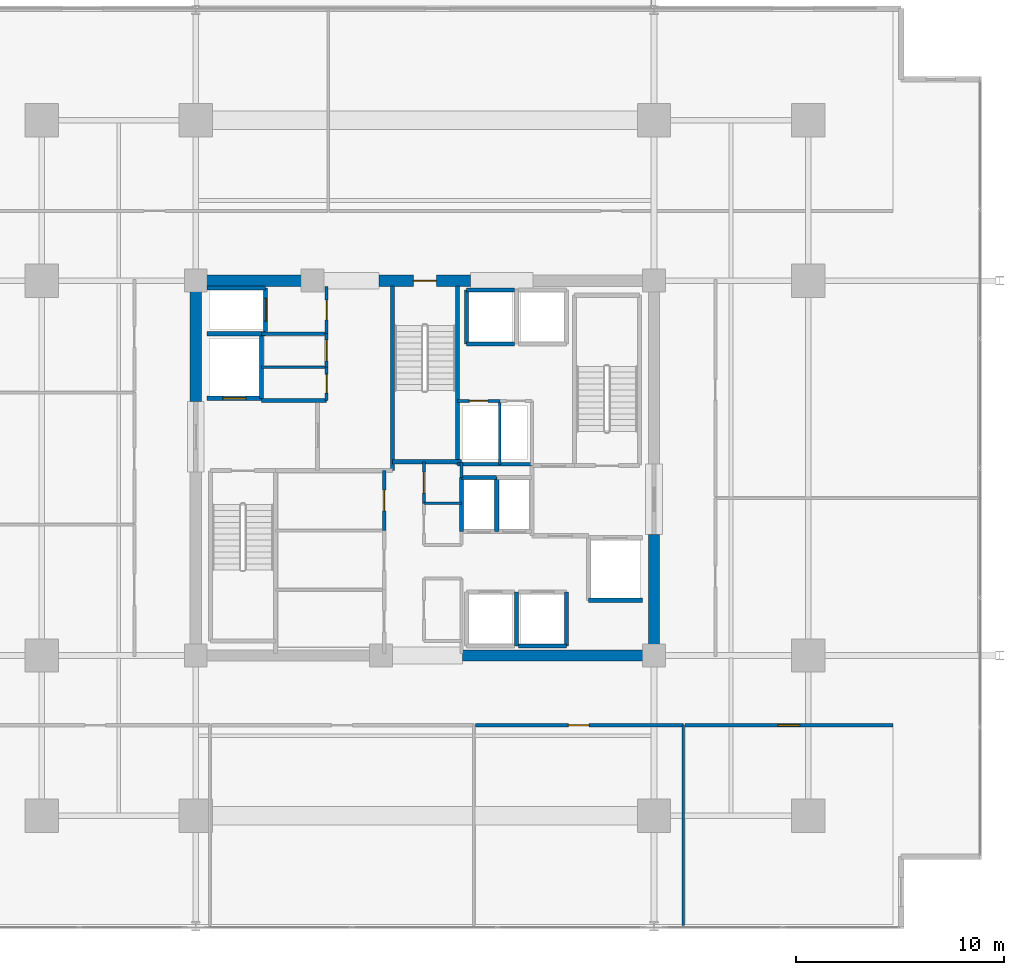
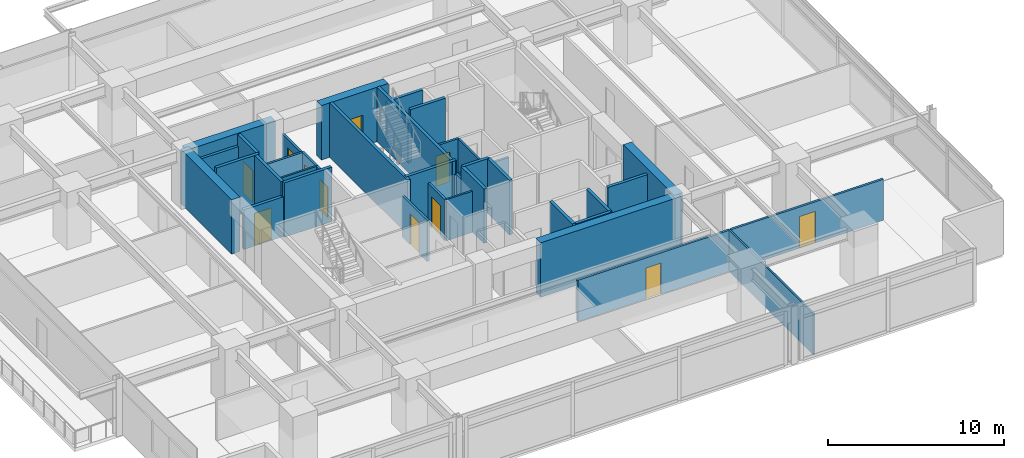
# One storey, part 14 of 20: 39 walls, 11 doors, 11 openings.
"""IFC4 building model written with IfcOpenShell, lengths in metres."""

from ifc_helpers import new_model, si_unit, direction, frame, frame_2d, origin, place, context, subcontext, project, spatial, rectangle, extrude, material, layer, layer_set, type_object, element, fill, save


model = new_model("IFC4")

# Units and contexts
model_context = context("Model", 3, precision=1e-05, world=origin(), true_north=direction((0.0, 1.0)))
body_context = subcontext(model_context, "Body", "Model", "MODEL_VIEW")
ifc_project = project(units=[si_unit("LENGTHUNIT", "METRE"), si_unit("AREAUNIT", "SQUARE_METRE"), si_unit("VOLUMEUNIT", "CUBIC_METRE"), si_unit("PLANEANGLEUNIT", "RADIAN"), si_unit("MASSUNIT", "GRAM", prefix="KILO")], contexts=[model_context])

# Site, building, storey
site_placement = place(None, origin())
site = spatial("IfcSite", under=ifc_project, at=site_placement, CompositionType="ELEMENT")
building_placement = place(site_placement, origin())
building = spatial("IfcBuilding", under=site, at=building_placement, Name="Kovane Verandah Tower", CompositionType="ELEMENT")
storey_placement = place(building_placement, frame((0.0, 0.0, 160.39990234375)))
storey = spatial("IfcBuildingStorey", under=building, at=storey_placement, Name="L37", CompositionType="ELEMENT", Elevation=160.39990234375)

# Wall
ifc_material_1 = material(Name="Fire-Rated Gypsum Stud Partition", Category="gypsum")
ifc_layer_1 = layer(ifc_material_1, 0.14990234375)
ifc_layer_set_1 = layer_set([ifc_layer_1], Name="Fire-Rated Gypsum Stud Partition")
wall_type_1 = type_object("IfcWallType", Name="WL-COR-150", PredefinedType="PARTITIONING", material=ifc_layer_set_1)
wall_1_placement = place(storey_placement, frame((41.760009765625, 27.050048828125, 0.0), z_axis=(0.0, 0.0, 1.0), x_axis=(0.0, 1.0, 0.0)))
element("IfcWall", 1, at=wall_1_placement, inside=storey, type_object=wall_type_1, Name="L37 Central Core Strip Upper East Wall", PredefinedType="PARTITIONING", context=body_context, shape_type="SweptSolid", body=[
    extrude(rectangle(XDim=0.75, YDim=0.14990234375, at=frame_2d((0.375, 0.0))), origin(), (0.0, 0.0, 1.0), 2.85009765625),
])

# Wall, opening, door
wall_2_placement = place(storey_placement, frame((39.949951171875, 25.800048828125, 0.0), z_axis=(0.0, 0.0, 1.0), x_axis=(0.0, 1.0, 0.0)))
wall_2 = element("IfcWall", 2, at=wall_2_placement, inside=storey, type_object=wall_type_1, Name="L37 Central First Aid and Wellness Room Partition", PredefinedType="PARTITIONING", context=body_context, shape_type="SweptSolid", body=[
    extrude(rectangle(XDim=2.0, YDim=0.14990234375, at=frame_2d((1.0, 0.0))), origin(), (0.0, 0.0, 1.0), 2.85009765625),
])
opening_1_placement = place(wall_2_placement, frame((0.5, 0.0, 0.0)))
opening_1 = element("IfcOpeningElement", 3, at=opening_1_placement, cuts=wall_2, Name="Opening DR-L37-026", PredefinedType="OPENING", context=body_context, shape_type="SweptSolid", body=[
    extrude(rectangle(XDim=1.0, YDim=2.14990234375, at=frame_2d((0.5, 1.074951171875))), frame((0.0, 0.074951171875, 0.0), z_axis=(0.0, -1.0, 0.0), x_axis=(1.0, 0.0, 0.0)), (0.0, 0.0, 1.0), 0.14990234375),
])
ifc_material_2 = material(Name="FSC Spotted-Gum Timber Fire-Rated Office Door", Category="wood")
door_type_1 = type_object("IfcDoorType", Name="DR-OFF-1000", OperationType="SINGLE_SWING_LEFT", PredefinedType="DOOR", material=ifc_material_2)
door_1_placement = place(opening_1_placement, origin())
door_1 = element("IfcDoor", 4, at=door_1_placement, inside=storey, type_object=door_type_1, Name="L37 Central First Aid and Wellness Room Door", OperationType="SINGLE_SWING_LEFT", OverallHeight=2.14990234375, OverallWidth=1.0, PredefinedType="DOOR", context=body_context, shape_type="SweptSolid", body=[
    extrude(rectangle(XDim=1.0, YDim=2.14990234375, at=frame_2d((0.5, 1.074951171875))), frame((0.0, 0.02490234375, 0.0), z_axis=(0.0, -1.0, 0.0), x_axis=(1.0, 0.0, 0.0)), (0.0, 0.0, 1.0), 0.050048828125),
])
fill(opening_1, door_1)

# Wall
wall_3_placement = place(storey_placement, frame((32.14990234375, 33.949951171875, 0.0), z_axis=(0.0, 0.0, 1.0), x_axis=(1.0, 0.0, 0.0)))
element("IfcWall", 5, at=wall_3_placement, inside=storey, type_object=wall_type_1, Name="L37 Goods Lift Lobby South Wall", PredefinedType="PARTITIONING", context=body_context, shape_type="SweptSolid", body=[
    extrude(rectangle(XDim=3.130126953125, YDim=0.14990234375, at=frame_2d((1.56494140625, 0.0))), origin(), (0.0, 0.0, 1.0), 2.85009765625),
])

# Wall, opening, door
wall_4_placement = place(storey_placement, frame((35.280029296875, 33.949951171875, 0.0), z_axis=(0.0, 0.0, 1.0), x_axis=(0.0, 1.0, 0.0)))
wall_4 = element("IfcWall", 6, at=wall_4_placement, inside=storey, type_object=wall_type_1, Name="L37 Goods Lift Lobby East Fire Partition", PredefinedType="PARTITIONING", context=body_context, shape_type="SweptSolid", body=[
    extrude(rectangle(XDim=2.27001953125, YDim=0.14990234375, at=frame_2d((1.135009765625, 0.0))), origin(), (0.0, 0.0, 1.0), 2.755126953125),
])
opening_2_placement = place(wall_4_placement, frame((0.659912109375, 0.0, 0.0)))
opening_2 = element("IfcOpeningElement", 7, at=opening_2_placement, cuts=wall_4, Name="Opening DR-L37-008", PredefinedType="OPENING", context=body_context, shape_type="SweptSolid", body=[
    extrude(rectangle(XDim=0.949951171875, YDim=2.14990234375, at=frame_2d((0.47509765625, 1.074951171875))), frame((0.0, 0.074951171875, 0.0), z_axis=(0.0, -1.0, 0.0), x_axis=(1.0, 0.0, 0.0)), (0.0, 0.0, 1.0), 0.14990234375),
])
ifc_material_3 = material(Name="Fire-Rated Steel Refuge and Lobby Door", Category="steel")
door_type_2 = type_object("IfcDoorType", Name="DR-FIRE-950", OperationType="SINGLE_SWING_LEFT", PredefinedType="DOOR", material=ifc_material_3)
door_2_placement = place(opening_2_placement, origin())
door_2 = element("IfcDoor", 8, at=door_2_placement, inside=storey, type_object=door_type_2, Name="L37 Goods Lift Lobby Fire Door", OperationType="SINGLE_SWING_RIGHT", OverallHeight=2.14990234375, OverallWidth=0.949951171875, PredefinedType="DOOR", context=body_context, shape_type="SweptSolid", body=[
    extrude(rectangle(XDim=0.949951171875, YDim=2.14990234375, at=frame_2d((0.47509765625, 1.074951171875))), frame((0.0, 0.02490234375, 0.0), z_axis=(0.0, -1.0, 0.0), x_axis=(1.0, 0.0, 0.0)), (0.0, 0.0, 1.0), 0.050048828125),
])
fill(opening_2, door_2)

wall_5_placement = place(storey_placement, frame((35.280029296875, 30.75, 0.0), z_axis=(0.0, 0.0, 1.0), x_axis=(0.0, 1.0, 0.0)))
wall_5 = element("IfcWall", 9, at=wall_5_placement, inside=storey, type_object=wall_type_1, Name="L37 Accessible Unisex Toilet Partition", PredefinedType="PARTITIONING", context=body_context, shape_type="SweptSolid", body=[
    extrude(rectangle(XDim=1.60009765625, YDim=0.14990234375, at=frame_2d((0.800048828125, 0.0))), origin(), (0.0, 0.0, 1.0), 2.85009765625),
])
opening_3_placement = place(wall_5_placement, frame((0.35009765625, 0.0, 0.0)))
opening_3 = element("IfcOpeningElement", 10, at=opening_3_placement, cuts=wall_5, Name="Opening DR-L37-027", PredefinedType="OPENING", context=body_context, shape_type="SweptSolid", body=[
    extrude(rectangle(XDim=0.89990234375, YDim=2.10009765625, at=frame_2d((0.449951171875, 1.050048828125))), frame((0.0, 0.074951171875, 0.0), z_axis=(0.0, -1.0, 0.0), x_axis=(1.0, 0.0, 0.0)), (0.0, 0.0, 1.0), 0.14990234375),
])
ifc_material_4 = material(Name="Moisture-Resistant Laminate Washroom Door", Category="wood")
door_type_3 = type_object("IfcDoorType", Name="DR-WC-900", OperationType="SINGLE_SWING_LEFT", PredefinedType="DOOR", material=ifc_material_4)
door_3_placement = place(opening_3_placement, origin())
door_3 = element("IfcDoor", 11, at=door_3_placement, inside=storey, type_object=door_type_3, Name="L37 Accessible Unisex Toilet Door", OperationType="SINGLE_SWING_LEFT", OverallHeight=2.10009765625, OverallWidth=0.89990234375, PredefinedType="DOOR", context=body_context, shape_type="SweptSolid", body=[
    extrude(rectangle(XDim=0.89990234375, YDim=2.10009765625, at=frame_2d((0.449951171875, 1.050048828125))), frame((0.0, 0.02490234375, 0.0), z_axis=(0.0, -1.0, 0.0), x_axis=(1.0, 0.0, 0.0)), (0.0, 0.0, 1.0), 0.050048828125),
])
fill(opening_3, door_3)

wall_6_placement = place(storey_placement, frame((35.280029296875, 32.35009765625, 0.0), z_axis=(0.0, 0.0, 1.0), x_axis=(0.0, 1.0, 0.0)))
wall_6 = element("IfcWall", 12, at=wall_6_placement, inside=storey, type_object=wall_type_1, Name="L37 North-West First Aid Room Partition", PredefinedType="PARTITIONING", context=body_context, shape_type="SweptSolid", body=[
    extrude(rectangle(XDim=1.599853515625, YDim=0.14990234375, at=frame_2d((0.7998046875, 0.0))), origin(), (0.0, 0.0, 1.0), 2.85009765625),
])
opening_4_placement = place(wall_6_placement, frame((0.300048828125, 0.0, 0.0)))
opening_4 = element("IfcOpeningElement", 13, at=opening_4_placement, cuts=wall_6, Name="Opening DR-L37-012", PredefinedType="OPENING", context=body_context, shape_type="SweptSolid", body=[
    extrude(rectangle(XDim=1.0, YDim=2.14990234375, at=frame_2d((0.5, 1.074951171875))), frame((0.0, 0.074951171875, 0.0), z_axis=(0.0, -1.0, 0.0), x_axis=(1.0, 0.0, 0.0)), (0.0, 0.0, 1.0), 0.14990234375),
])
door_4_placement = place(opening_4_placement, origin())
door_4 = element("IfcDoor", 14, at=door_4_placement, inside=storey, type_object=door_type_1, Name="L37 North-West First Aid Room Door", OperationType="SINGLE_SWING_RIGHT", OverallHeight=2.14990234375, OverallWidth=1.0, PredefinedType="DOOR", context=body_context, shape_type="SweptSolid", body=[
    extrude(rectangle(XDim=1.0, YDim=2.14990234375, at=frame_2d((0.5, 1.074951171875))), frame((0.0, 0.02490234375, 0.0), z_axis=(0.0, -1.0, 0.0), x_axis=(1.0, 0.0, 0.0)), (0.0, 0.0, 1.0), 0.050048828125),
])
fill(opening_4, door_4)

wall_7_placement = place(storey_placement, frame((38.050048828125, 24.5, 0.0), z_axis=(0.0, 0.0, 1.0), x_axis=(0.0, 1.0, 0.0)))
wall_7 = element("IfcWall", 15, at=wall_7_placement, inside=storey, type_object=wall_type_1, Name="L37 Tea and Copy Hub Partition", PredefinedType="PARTITIONING", context=body_context, shape_type="SweptSolid", body=[
    extrude(rectangle(XDim=2.8798828125, YDim=0.14990234375, at=frame_2d((1.43994140625, 0.0))), origin(), (0.0, 0.0, 1.0), 2.85009765625),
])
opening_5_placement = place(wall_7_placement, frame((0.93994140625, 0.0, 0.0)))
opening_5 = element("IfcOpeningElement", 16, at=opening_5_placement, cuts=wall_7, Name="Opening DR-L37-017", PredefinedType="OPENING", context=body_context, shape_type="SweptSolid", body=[
    extrude(rectangle(XDim=1.0, YDim=2.14990234375, at=frame_2d((0.5, 1.074951171875))), frame((0.0, 0.074951171875, 0.0), z_axis=(0.0, -1.0, 0.0), x_axis=(1.0, 0.0, 0.0)), (0.0, 0.0, 1.0), 0.14990234375),
])
door_5_placement = place(opening_5_placement, origin())
door_5 = element("IfcDoor", 17, at=door_5_placement, inside=storey, type_object=door_type_1, Name="L37 Tea and Copy Hub Door", OperationType="SINGLE_SWING_LEFT", OverallHeight=2.14990234375, OverallWidth=1.0, PredefinedType="DOOR", context=body_context, shape_type="SweptSolid", body=[
    extrude(rectangle(XDim=1.0, YDim=2.14990234375, at=frame_2d((0.5, 1.074951171875))), frame((0.0, 0.02490234375, 0.0), z_axis=(0.0, -1.0, 0.0), x_axis=(1.0, 0.0, 0.0)), (0.0, 0.0, 1.0), 0.050048828125),
])
fill(opening_5, door_5)

# Wall
wall_8_placement = place(storey_placement, frame((41.56005859375, 27.679931640625, 0.0), z_axis=(0.0, 0.0, 1.0), x_axis=(1.0, 0.0, 0.0)))
element("IfcWall", 18, at=wall_8_placement, inside=storey, type_object=wall_type_1, Name="L37 East Core Service Riser South Wall", PredefinedType="PARTITIONING", context=body_context, shape_type="SweptSolid", body=[
    extrude(rectangle(XDim=3.58984375, YDim=0.14990234375, at=frame_2d((1.794921875, 0.0))), origin(), (0.0, 0.0, 1.0), 2.85009765625),
])

# Wall, opening, door
wall_9_placement = place(storey_placement, frame((41.56005859375, 30.719970703125, 0.0), z_axis=(0.0, 0.0, 1.0), x_axis=(1.0, 0.0, 0.0)))
wall_9 = element("IfcWall", 19, at=wall_9_placement, inside=storey, type_object=wall_type_1, Name="L37 Electrical Sub-Main Riser Room Partition", PredefinedType="PARTITIONING", context=body_context, shape_type="SweptSolid", body=[
    extrude(rectangle(XDim=2.0400390625, YDim=0.14990234375, at=frame_2d((1.02001953125, 0.0))), origin(), (0.0, 0.0, 1.0), 2.85009765625),
])
opening_6_placement = place(wall_9_placement, frame((0.580078125, 0.0, 0.0)))
opening_6 = element("IfcOpeningElement", 20, at=opening_6_placement, cuts=wall_9, Name="Opening DR-L37-018", PredefinedType="OPENING", context=body_context, shape_type="SweptSolid", body=[
    extrude(rectangle(XDim=0.8798828125, YDim=2.10009765625, at=frame_2d((0.43994140625, 1.050048828125))), frame((0.0, 0.074951171875, 0.0), z_axis=(0.0, -1.0, 0.0), x_axis=(1.0, 0.0, 0.0)), (0.0, 0.0, 1.0), 0.14990234375),
])
ifc_material_5 = material(Name="Fire-Rated Steel Riser Access Door", Category="steel")
door_type_4 = type_object("IfcDoorType", Name="DR-RISER-880", OperationType="SINGLE_SWING_LEFT", PredefinedType="DOOR", material=ifc_material_5)
door_6_placement = place(opening_6_placement, origin())
door_6 = element("IfcDoor", 21, at=door_6_placement, inside=storey, type_object=door_type_4, Name="L37 Electrical Sub-Main Riser Room Door", OperationType="SINGLE_SWING_RIGHT", OverallHeight=2.10009765625, OverallWidth=0.8798828125, PredefinedType="DOOR", context=body_context, shape_type="SweptSolid", body=[
    extrude(rectangle(XDim=0.8798828125, YDim=2.10009765625, at=frame_2d((0.43994140625, 1.050048828125))), frame((0.0, 0.02490234375, 0.0), z_axis=(0.0, -1.0, 0.0), x_axis=(1.0, 0.0, 0.0)), (0.0, 0.0, 1.0), 0.050048828125),
])
fill(opening_6, door_6)

wall_10_placement = place(storey_placement, frame((42.426025390625, 15.14990234375, 0.0), z_axis=(0.0, 0.0, 1.0), x_axis=(1.0, 0.0, 0.0)))
wall_10 = element("IfcWall", 22, at=wall_10_placement, inside=storey, type_object=wall_type_1, Name="L37 Open Plan Office S3 Corridor Partition", PredefinedType="PARTITIONING", context=body_context, shape_type="SweptSolid", body=[
    extrude(rectangle(XDim=9.98828125, YDim=0.14990234375, at=frame_2d((4.994140625, 0.0))), origin(), (0.0, 0.0, 1.0), 2.85009765625),
])
opening_7_placement = place(wall_10_placement, frame((4.458984375, 0.0, 0.0)))
opening_7 = element("IfcOpeningElement", 23, at=opening_7_placement, cuts=wall_10, Name="Opening DR-L37-024", PredefinedType="OPENING", context=body_context, shape_type="SweptSolid", body=[
    extrude(rectangle(XDim=1.0, YDim=2.14990234375, at=frame_2d((0.5, 1.074951171875))), frame((0.0, 0.074951171875, 0.0), z_axis=(0.0, -1.0, 0.0), x_axis=(1.0, 0.0, 0.0)), (0.0, 0.0, 1.0), 0.14990234375),
])
door_7_placement = place(opening_7_placement, origin())
door_7 = element("IfcDoor", 24, at=door_7_placement, inside=storey, type_object=door_type_1, Name="L37 Open Plan Office S3 Entrance Door", OperationType="SINGLE_SWING_RIGHT", OverallHeight=2.14990234375, OverallWidth=1.0, PredefinedType="DOOR", context=body_context, shape_type="SweptSolid", body=[
    extrude(rectangle(XDim=1.0, YDim=2.14990234375, at=frame_2d((0.5, 1.074951171875))), frame((0.0, 0.02490234375, 0.0), z_axis=(0.0, -1.0, 0.0), x_axis=(1.0, 0.0, 0.0)), (0.0, 0.0, 1.0), 0.050048828125),
])
fill(opening_7, door_7)

wall_11_placement = place(storey_placement, frame((52.484130859375, 15.14990234375, 0.0), z_axis=(0.0, 0.0, 1.0), x_axis=(1.0, 0.0, 0.0)))
wall_11 = element("IfcWall", 25, at=wall_11_placement, inside=storey, type_object=wall_type_1, Name="L37 Executive Office S4 Corridor Partition", PredefinedType="PARTITIONING", context=body_context, shape_type="SweptSolid", body=[
    extrude(rectangle(XDim=9.98828125, YDim=0.14990234375, at=frame_2d((4.994140625, 0.0))), origin(), (0.0, 0.0, 1.0), 2.85009765625),
])
opening_8_placement = place(wall_11_placement, frame((4.468994140625, 0.0, 0.0)))
opening_8 = element("IfcOpeningElement", 26, at=opening_8_placement, cuts=wall_11, Name="Opening DR-L37-025", PredefinedType="OPENING", context=body_context, shape_type="SweptSolid", body=[
    extrude(rectangle(XDim=1.050048828125, YDim=2.199951171875, at=frame_2d((0.52490234375, 1.10009765625))), frame((0.0, 0.074951171875, 0.0), z_axis=(0.0, -1.0, 0.0), x_axis=(1.0, 0.0, 0.0)), (0.0, 0.0, 1.0), 0.14990234375),
])
ifc_material_6 = material(Name="FSC Blackbutt Timber Fire-Rated Executive Door", Category="wood")
door_type_5 = type_object("IfcDoorType", Name="DR-EXEC-1050", OperationType="SINGLE_SWING_LEFT", PredefinedType="DOOR", material=ifc_material_6)
door_8_placement = place(opening_8_placement, origin())
door_8 = element("IfcDoor", 27, at=door_8_placement, inside=storey, type_object=door_type_5, Name="L37 Executive Office S4 Entrance Door", OperationType="SINGLE_SWING_LEFT", OverallHeight=2.199951171875, OverallWidth=1.050048828125, PredefinedType="DOOR", context=body_context, shape_type="SweptSolid", body=[
    extrude(rectangle(XDim=1.050048828125, YDim=2.199951171875, at=frame_2d((0.52490234375, 1.10009765625))), frame((0.0, 0.02490234375, 0.0), z_axis=(0.0, -1.0, 0.0), x_axis=(1.0, 0.0, 0.0)), (0.0, 0.0, 1.0), 0.050048828125),
])
fill(opening_8, door_8)

# Walls
ifc_material_7 = material(Name="Concrete C60/75", Category="concrete")
ifc_layer_2 = layer(ifc_material_7, 0.550048828125)
ifc_layer_set_2 = layer_set([ifc_layer_2], Name="Concrete C60/75")
wall_type_2 = type_object("IfcWallType", Name="WL-CORE-550", PredefinedType="SHEAR", material=ifc_layer_set_2)
wall_12_placement = place(storey_placement, frame((41.800048828125, 18.5, 0.0), z_axis=(0.0, 0.0, 1.0), x_axis=(1.0, 0.0, 0.0)))
element("IfcWall", 28, at=wall_12_placement, inside=storey, type_object=wall_type_2, Name="L37 Core Shear Wall CS-2", PredefinedType="SHEAR", context=body_context, shape_type="SweptSolid", body=[
    extrude(rectangle(XDim=9.199951171875, YDim=0.550048828125, at=frame_2d((4.60009765625, 0.0))), origin(), (0.0, 0.0, 1.0), 3.775146484375),
])
wall_13_placement = place(storey_placement, frame((29.0, 36.5, 0.0), z_axis=(0.0, 0.0, 1.0), x_axis=(1.0, 0.0, 0.0)))
element("IfcWall", 29, at=wall_13_placement, inside=storey, type_object=wall_type_2, Name="L37 Core Shear Wall CN-1", PredefinedType="SHEAR", context=body_context, shape_type="SweptSolid", body=[
    extrude(rectangle(XDim=5.800048828125, YDim=0.550048828125, at=frame_2d((2.89990234375, 0.0))), origin(), (0.0, 0.0, 1.0), 3.775146484375),
])

# Wall, opening, door
wall_14_placement = place(storey_placement, frame((37.800048828125, 36.5, 0.0), z_axis=(0.0, 0.0, 1.0), x_axis=(1.0, 0.0, 0.0)))
wall_14 = element("IfcWall", 30, at=wall_14_placement, inside=storey, type_object=wall_type_2, Name="L37 Core Shear Wall CN-2", PredefinedType="SHEAR", context=body_context, shape_type="SweptSolid", body=[
    extrude(rectangle(XDim=4.39990234375, YDim=0.550048828125, at=frame_2d((2.199951171875, 0.0))), origin(), (0.0, 0.0, 1.0), 3.775146484375),
])
opening_9_placement = place(wall_14_placement, frame((1.64990234375, 0.0, 0.0)))
opening_9 = element("IfcOpeningElement", 31, at=opening_9_placement, cuts=wall_14, Name="Opening DR-L37-011", PredefinedType="OPENING", context=body_context, shape_type="SweptSolid", body=[
    extrude(rectangle(XDim=1.10009765625, YDim=2.14990234375, at=frame_2d((0.550048828125, 1.074951171875))), frame((0.0, 0.27490234375, 0.0), z_axis=(0.0, -1.0, 0.0), x_axis=(1.0, 0.0, 0.0)), (0.0, 0.0, 1.0), 0.550048828125),
])
ifc_material_8 = material(Name="Fire-Rated Steel Exit Door", Category="steel")
door_type_6 = type_object("IfcDoorType", Name="DR-STAIR-1100", OperationType="SINGLE_SWING_LEFT", PredefinedType="DOOR", material=ifc_material_8)
door_9_placement = place(opening_9_placement, origin())
door_9 = element("IfcDoor", 32, at=door_9_placement, inside=storey, type_object=door_type_6, Name="L37 ST-03 Fire Exit Stair Door", OperationType="SINGLE_SWING_RIGHT", OverallHeight=2.14990234375, OverallWidth=1.10009765625, PredefinedType="DOOR", context=body_context, shape_type="SweptSolid", body=[
    extrude(rectangle(XDim=1.10009765625, YDim=2.14990234375, at=frame_2d((0.550048828125, 1.074951171875))), frame((0.0, 0.02490234375, 0.0), z_axis=(0.0, -1.0, 0.0), x_axis=(1.0, 0.0, 0.0)), (0.0, 0.0, 1.0), 0.050048828125),
])
fill(opening_9, door_9)

# Walls
for number, where, z_axis, x_axis, name in (
    (33, (29.0, 30.699951171875, 0.0), (0.0, 0.0, 1.0), (0.0, 1.0, 0.0), "L37 Core Shear Wall CW-2"),
    (34, (51.0, 18.5, 0.0), (0.0, 0.0, 1.0), (0.0, 1.0, 0.0), "L37 Core Shear Wall CE-1"),
):
    element("IfcWall", number, at=place(storey_placement, frame(where, z_axis=z_axis, x_axis=x_axis)), inside=storey, type_object=wall_type_2, Name=name, PredefinedType="SHEAR", context=body_context, shape_type="SweptSolid", body=[
        extrude(rectangle(XDim=5.800048828125, YDim=0.550048828125, at=frame_2d((2.89990234375, 0.0))), origin(), (0.0, 0.0, 1.0), 3.775146484375),
    ])
ifc_material_9 = material(Name="Concrete C45/55 Fire Wall", Category="concrete")
ifc_layer_3 = layer(ifc_material_9, 0.199951171875)
ifc_layer_set_3 = layer_set([ifc_layer_3], Name="Concrete C45/55 Fire Wall")
wall_type_3 = type_object("IfcWallType", Name="WL-FFL-200", PredefinedType="PARTITIONING", material=ifc_layer_set_3)
wall_15_placement = place(storey_placement, frame((32.14990234375, 30.75, 0.0), z_axis=(0.0, 0.0, 1.0), x_axis=(1.0, 0.0, 0.0)))
element("IfcWall", 35, at=wall_15_placement, inside=storey, type_object=wall_type_3, Name="L37 West Firefighting Lobby North Fire Wall", PredefinedType="PARTITIONING", context=body_context, shape_type="SweptSolid", body=[
    extrude(rectangle(XDim=3.130126953125, YDim=0.199951171875, at=frame_2d((1.56494140625, 0.0))), origin(), (0.0, 0.0, 1.0), 3.775146484375),
])

# Wall, opening, door
ifc_material_10 = material(Name="Concrete C45/55 Lift Shaft Wall", Category="concrete")
ifc_layer_4 = layer(ifc_material_10, 0.199951171875)
ifc_layer_set_4 = layer_set([ifc_layer_4], Name="Concrete C45/55 Lift Shaft Wall")
wall_type_4 = type_object("IfcWallType", Name="WL-LIFT-200", PredefinedType="SOLIDWALL", material=ifc_layer_set_4)
wall_16_placement = place(storey_placement, frame((29.550048828125, 30.85009765625, 0.0), z_axis=(0.0, 0.0, 1.0), x_axis=(1.0, 0.0, 0.0)))
wall_16 = element("IfcWall", 36, at=wall_16_placement, inside=storey, type_object=wall_type_4, Name="L37 Lift FL-01 S Shaft Wall", PredefinedType="SOLIDWALL", context=body_context, shape_type="SweptSolid", body=[
    extrude(rectangle(XDim=2.599853515625, YDim=0.199951171875, at=frame_2d((1.2998046875, 0.0))), origin(), (0.0, 0.0, 1.0), 2.755126953125),
])
opening_10_placement = place(wall_16_placement, frame((0.75, 0.0, 0.0)))
opening_10 = element("IfcOpeningElement", 37, at=opening_10_placement, cuts=wall_16, Name="Opening LD-L37-001", PredefinedType="OPENING", context=body_context, shape_type="SweptSolid", body=[
    extrude(rectangle(XDim=1.10009765625, YDim=2.199951171875, at=frame_2d((0.550048828125, 1.10009765625))), frame((0.0, 0.10009765625, 0.0), z_axis=(0.0, -1.0, 0.0), x_axis=(1.0, 0.0, 0.0)), (0.0, 0.0, 1.0), 0.199951171875),
])
ifc_material_11 = material(Name="Brushed Stainless Steel Sliding Lift Landing Door", Category="steel")
door_type_7 = type_object("IfcDoorType", Name="DR-LIFT-1100", OperationType="SLIDING_TO_RIGHT", PredefinedType="DOOR", material=ifc_material_11)
door_10_placement = place(opening_10_placement, origin())
door_10 = element("IfcDoor", 38, at=door_10_placement, inside=storey, type_object=door_type_7, Name="L37 Lift FL-01 Sliding Landing Door", OperationType="SLIDING_TO_RIGHT", OverallHeight=2.199951171875, OverallWidth=1.10009765625, PredefinedType="DOOR", context=body_context, shape_type="SweptSolid", body=[
    extrude(rectangle(XDim=1.10009765625, YDim=2.199951171875, at=frame_2d((0.550048828125, 1.10009765625))), frame((0.0, 0.02490234375, 0.0), z_axis=(0.0, -1.0, 0.0), x_axis=(1.0, 0.0, 0.0)), (0.0, 0.0, 1.0), 0.050048828125),
])
fill(opening_10, door_10)

# Walls
wall_17_placement = place(storey_placement, frame((29.550048828125, 33.949951171875, 0.0), z_axis=(0.0, 0.0, 1.0), x_axis=(1.0, 0.0, 0.0)))
element("IfcWall", 39, at=wall_17_placement, inside=storey, type_object=wall_type_4, Name="L37 Lift FL-01 and GL-01 Shared Shaft Wall", PredefinedType="SOLIDWALL", context=body_context, shape_type="SweptSolid", body=[
    extrude(rectangle(XDim=2.800048828125, YDim=0.199951171875, at=frame_2d((1.39990234375, 0.0))), origin(), (0.0, 0.0, 1.0), 3.775146484375),
])
wall_18_placement = place(storey_placement, frame((32.14990234375, 30.85009765625, 0.0), z_axis=(0.0, 0.0, 1.0), x_axis=(0.0, 1.0, 0.0)))
element("IfcWall", 40, at=wall_18_placement, inside=storey, type_object=wall_type_4, Name="L37 Lift FL-01 E Shaft Wall", PredefinedType="SOLIDWALL", context=body_context, shape_type="SweptSolid", body=[
    extrude(rectangle(XDim=3.0, YDim=0.199951171875, at=frame_2d((1.5, 0.0))), origin(), (0.0, 0.0, 1.0), 3.775146484375),
])
wall_19_placement = place(storey_placement, frame((47.85009765625, 21.14990234375, 0.0), z_axis=(0.0, 0.0, 1.0), x_axis=(1.0, 0.0, 0.0)))
element("IfcWall", 41, at=wall_19_placement, inside=storey, type_object=wall_type_4, Name="L37 Lift FL-02 S Shaft Wall", PredefinedType="SOLIDWALL", context=body_context, shape_type="SweptSolid", body=[
    extrude(rectangle(XDim=2.599853515625, YDim=0.199951171875, at=frame_2d((1.2998046875, 0.0))), origin(), (0.0, 0.0, 1.0), 3.775146484375),
])
wall_20_placement = place(storey_placement, frame((32.35009765625, 36.14990234375, 0.0), z_axis=(0.0, 0.0, 1.0), x_axis=(-1.0, 0.0, 0.0)))
element("IfcWall", 42, at=wall_20_placement, inside=storey, type_object=wall_type_4, Name="L37 Lift GL-01 N Shaft Wall", PredefinedType="SOLIDWALL", context=body_context, shape_type="SweptSolid", body=[
    extrude(rectangle(XDim=2.800048828125, YDim=0.199951171875, at=frame_2d((1.39990234375, 0.0))), origin(), (0.0, 0.0, 1.0), 2.9853515625),
])

# Wall, opening, door
wall_21_placement = place(storey_placement, frame((32.35009765625, 34.050048828125, 0.0), z_axis=(0.0, 0.0, 1.0), x_axis=(0.0, 1.0, 0.0)))
wall_21 = element("IfcWall", 43, at=wall_21_placement, inside=storey, type_object=wall_type_4, Name="L37 Lift GL-01 E Shaft Wall", PredefinedType="SOLIDWALL", context=body_context, shape_type="SweptSolid", body=[
    extrude(rectangle(XDim=2.099853515625, YDim=0.199951171875, at=frame_2d((1.0498046875, 0.0))), origin(), (0.0, 0.0, 1.0), 3.775146484375),
])
opening_11_placement = place(wall_21_placement, frame((0.5, 0.0, 0.0)))
opening_11 = element("IfcOpeningElement", 44, at=opening_11_placement, cuts=wall_21, Name="Opening LD-L37-003", PredefinedType="OPENING", context=body_context, shape_type="SweptSolid", body=[
    extrude(rectangle(XDim=1.10009765625, YDim=2.199951171875, at=frame_2d((0.550048828125, 1.10009765625))), frame((0.0, 0.10009765625, 0.0), z_axis=(0.0, -1.0, 0.0), x_axis=(1.0, 0.0, 0.0)), (0.0, 0.0, 1.0), 0.199951171875),
])
door_11_placement = place(opening_11_placement, origin())
door_11 = element("IfcDoor", 45, at=door_11_placement, inside=storey, type_object=door_type_7, Name="L37 Lift GL-01 Sliding Landing Door", OperationType="SLIDING_TO_RIGHT", OverallHeight=2.199951171875, OverallWidth=1.10009765625, PredefinedType="DOOR", context=body_context, shape_type="SweptSolid", body=[
    extrude(rectangle(XDim=1.10009765625, YDim=2.199951171875, at=frame_2d((0.550048828125, 1.10009765625))), frame((0.0, 0.02490234375, 0.0), z_axis=(0.0, -1.0, 0.0), x_axis=(1.0, 0.0, 0.0)), (0.0, 0.0, 1.0), 0.050048828125),
])
fill(opening_11, door_11)

# Walls
wall_22_placement = place(storey_placement, frame((44.39990234375, 18.949951171875, 0.0), z_axis=(0.0, 0.0, 1.0), x_axis=(0.0, 1.0, 0.0)))
element("IfcWall", 46, at=wall_22_placement, inside=storey, type_object=wall_type_4, Name="L37 Lift PL-M1 and PL-M2 Shared Shaft Wall", PredefinedType="SOLIDWALL", context=body_context, shape_type="SweptSolid", body=[
    extrude(rectangle(XDim=2.60009765625, YDim=0.199951171875, at=frame_2d((1.300048828125, 0.0))), origin(), (0.0, 0.0, 1.0), 3.775146484375),
])
wall_23_placement = place(storey_placement, frame((44.5, 18.949951171875, 0.0), z_axis=(0.0, 0.0, 1.0), x_axis=(1.0, 0.0, 0.0)))
element("IfcWall", 47, at=wall_23_placement, inside=storey, type_object=wall_type_4, Name="L37 Lift PL-M2 S Shaft Wall", PredefinedType="SOLIDWALL", context=body_context, shape_type="SweptSolid", body=[
    extrude(rectangle(XDim=2.300048828125, YDim=0.199951171875, at=frame_2d((1.14990234375, 0.0))), origin(), (0.0, 0.0, 1.0), 3.775146484375),
])
wall_24_placement = place(storey_placement, frame((46.800048828125, 18.949951171875, 0.0), z_axis=(0.0, 0.0, 1.0), x_axis=(0.0, 1.0, 0.0)))
element("IfcWall", 48, at=wall_24_placement, inside=storey, type_object=wall_type_4, Name="L37 Lift PL-M2 E Shaft Wall", PredefinedType="SOLIDWALL", context=body_context, shape_type="SweptSolid", body=[
    extrude(rectangle(XDim=2.60009765625, YDim=0.199951171875, at=frame_2d((1.300048828125, 0.0))), origin(), (0.0, 0.0, 1.0), 3.775146484375),
])
wall_25_placement = place(storey_placement, frame((43.43994140625, 27.050048828125, 0.0), z_axis=(0.0, 0.0, 1.0), x_axis=(-1.0, 0.0, 0.0)))
element("IfcWall", 49, at=wall_25_placement, inside=storey, type_object=wall_type_4, Name="L37 Lift PL-M3 N Shaft Wall", PredefinedType="SOLIDWALL", context=body_context, shape_type="SweptSolid", body=[
    extrude(rectangle(XDim=1.679931640625, YDim=0.199951171875, at=frame_2d((0.83984375, 0.0))), origin(), (0.0, 0.0, 1.0), 3.775146484375),
])
for number, where, z_axis, x_axis, name in (
    (50, (41.760009765625, 27.050048828125, 0.0), (0.0, 0.0, 1.0), (0.0, -1.0, 0.0), "L37 Lift PL-M3 W Shaft Wall"),
    (51, (43.449951171875, 24.449951171875, 0.0), (0.0, 0.0, 1.0), (0.0, 1.0, 0.0), "L37 Lift PL-M3 and PL-M4 Shared Shaft Wall"),
):
    element("IfcWall", number, at=place(storey_placement, frame(where, z_axis=z_axis, x_axis=x_axis)), inside=storey, type_object=wall_type_4, Name=name, PredefinedType="SOLIDWALL", context=body_context, shape_type="SweptSolid", body=[
        extrude(rectangle(XDim=2.60009765625, YDim=0.199951171875, at=frame_2d((1.300048828125, 0.0))), origin(), (0.0, 0.0, 1.0), 3.775146484375),
    ])
wall_26_placement = place(storey_placement, frame((42.0, 33.449951171875, 0.0), z_axis=(0.0, 0.0, 1.0), x_axis=(1.0, 0.0, 0.0)))
element("IfcWall", 52, at=wall_26_placement, inside=storey, type_object=wall_type_4, Name="L37 Lift SL-01 S Shaft Wall", PredefinedType="SOLIDWALL", context=body_context, shape_type="SweptSolid", body=[
    extrude(rectangle(XDim=2.300048828125, YDim=0.199951171875, at=frame_2d((1.14990234375, 0.0))), origin(), (0.0, 0.0, 1.0), 3.775146484375),
])
wall_27_placement = place(storey_placement, frame((44.300048828125, 36.050048828125, 0.0), z_axis=(0.0, 0.0, 1.0), x_axis=(-1.0, 0.0, 0.0)))
element("IfcWall", 53, at=wall_27_placement, inside=storey, type_object=wall_type_4, Name="L37 Lift SL-01 N Shaft Wall", PredefinedType="SOLIDWALL", context=body_context, shape_type="SweptSolid", body=[
    extrude(rectangle(XDim=2.300048828125, YDim=0.199951171875, at=frame_2d((1.14990234375, 0.0))), origin(), (0.0, 0.0, 1.0), 2.755126953125),
])
wall_28_placement = place(storey_placement, frame((42.0, 36.050048828125, 0.0), z_axis=(0.0, 0.0, 1.0), x_axis=(0.0, -1.0, 0.0)))
element("IfcWall", 54, at=wall_28_placement, inside=storey, type_object=wall_type_4, Name="L37 Lift SL-01 W Shaft Wall", PredefinedType="SOLIDWALL", context=body_context, shape_type="SweptSolid", body=[
    extrude(rectangle(XDim=2.60009765625, YDim=0.199951171875, at=frame_2d((1.300048828125, 0.0))), origin(), (0.0, 0.0, 1.0), 2.755126953125),
])
ifc_material_12 = material(Name="Acoustic Fire-Rated Gypsum Partition", Category="gypsum")
ifc_layer_5 = layer(ifc_material_12, 0.1201171875)
ifc_layer_set_5 = layer_set([ifc_layer_5], Name="Acoustic Fire-Rated Gypsum Partition")
wall_type_5 = type_object("IfcWallType", Name="WL-PART-120", PredefinedType="PARTITIONING", material=ifc_layer_set_5)
wall_29_placement = place(storey_placement, frame((39.949951171875, 25.800048828125, 0.0), z_axis=(0.0, 0.0, 1.0), x_axis=(1.0, 0.0, 0.0)))
element("IfcWall", 55, at=wall_29_placement, inside=storey, type_object=wall_type_5, Name="L37 Central Core Strip Upper Dividing Partition", PredefinedType="PARTITIONING", context=body_context, shape_type="SweptSolid", body=[
    extrude(rectangle(XDim=1.81005859375, YDim=0.1201171875, at=frame_2d((0.905029296875, 0.0))), origin(), (0.0, 0.0, 1.0), 2.85009765625),
])
wall_30_placement = place(storey_placement, frame((32.14990234375, 32.35009765625, 0.0), z_axis=(0.0, 0.0, 1.0), x_axis=(1.0, 0.0, 0.0)))
element("IfcWall", 56, at=wall_30_placement, inside=storey, type_object=wall_type_5, Name="L37 Accessible Washroom and Support Dividing Partition", PredefinedType="PARTITIONING", context=body_context, shape_type="SweptSolid", body=[
    extrude(rectangle(XDim=3.130126953125, YDim=0.1201171875, at=frame_2d((1.56494140625, 0.0))), origin(), (0.0, 0.0, 1.0), 2.85009765625),
])
wall_31_placement = place(storey_placement, frame((43.60009765625, 27.679931640625, 0.0), z_axis=(0.0, 0.0, 1.0), x_axis=(0.0, 1.0, 0.0)))
element("IfcWall", 57, at=wall_31_placement, inside=storey, type_object=wall_type_5, Name="L37 Service Riser Dividing Partition", PredefinedType="PARTITIONING", context=body_context, shape_type="SweptSolid", body=[
    extrude(rectangle(XDim=3.0400390625, YDim=0.1201171875, at=frame_2d((1.52001953125, 0.0))), origin(), (0.0, 0.0, 1.0), 2.85009765625),
])
wall_32_placement = place(storey_placement, frame((52.414306640625, 5.538818359375, 0.0), z_axis=(0.0, 0.0, 1.0), x_axis=(0.0, 1.0, 0.0)))
element("IfcWall", 58, at=wall_32_placement, inside=storey, type_object=wall_type_5, Name="L37 Open Plan Office S3 Dividing Partition", PredefinedType="PARTITIONING", context=body_context, shape_type="SweptSolid", body=[
    extrude(rectangle(XDim=9.611083984375, YDim=0.1201171875, at=frame_2d((4.8056640625, 0.0))), origin(), (0.0, 0.0, 1.0), 2.85009765625),
])
ifc_material_13 = material(Name="Concrete C45/55", Category="concrete")
ifc_layer_6 = layer(ifc_material_13, 0.199951171875)
ifc_layer_set_6 = layer_set([ifc_layer_6], Name="Concrete C45/55")
wall_type_6 = type_object("IfcWallType", Name="WL-SHAFT-200", PredefinedType="SOLIDWALL", material=ifc_layer_set_6)
wall_33_placement = place(storey_placement, frame((38.43994140625, 27.3798828125, 0.0), z_axis=(0.0, 0.0, 1.0), x_axis=(0.0, 1.0, 0.0)))
element("IfcWall", 59, at=wall_33_placement, inside=storey, type_object=wall_type_6, Name="W-L37-ST03-W", PredefinedType="SOLIDWALL", context=body_context, shape_type="SweptSolid", body=[
    extrude(rectangle(XDim=8.8701171875, YDim=0.199951171875, at=frame_2d((4.43505859375, 0.0))), origin(), (0.0, 0.0, 1.0), 3.775146484375),
])
wall_34_placement = place(storey_placement, frame((41.56005859375, 27.679931640625, 0.0), z_axis=(0.0, 0.0, 1.0), x_axis=(0.0, 1.0, 0.0)))
element("IfcWall", 60, at=wall_34_placement, inside=storey, type_object=wall_type_6, Name="W-L37-ST03-E", PredefinedType="SOLIDWALL", context=body_context, shape_type="SweptSolid", body=[
    extrude(rectangle(XDim=8.570068359375, YDim=0.199951171875, at=frame_2d((4.28515625, 0.0))), origin(), (0.0, 0.0, 1.0), 3.775146484375),
])
wall_35_placement = place(storey_placement, frame((38.43994140625, 27.800048828125, 0.0), z_axis=(0.0, 0.0, 1.0), x_axis=(1.0, 0.0, 0.0)))
element("IfcWall", 61, at=wall_35_placement, inside=storey, type_object=wall_type_6, Name="W-L37-ST03-S", PredefinedType="SOLIDWALL", context=body_context, shape_type="SweptSolid", body=[
    extrude(rectangle(XDim=3.320068359375, YDim=0.199951171875, at=frame_2d((1.66015625, 0.0))), origin(), (0.0, 0.0, 1.0), 3.775146484375),
])

save(model, "model.ifc")
